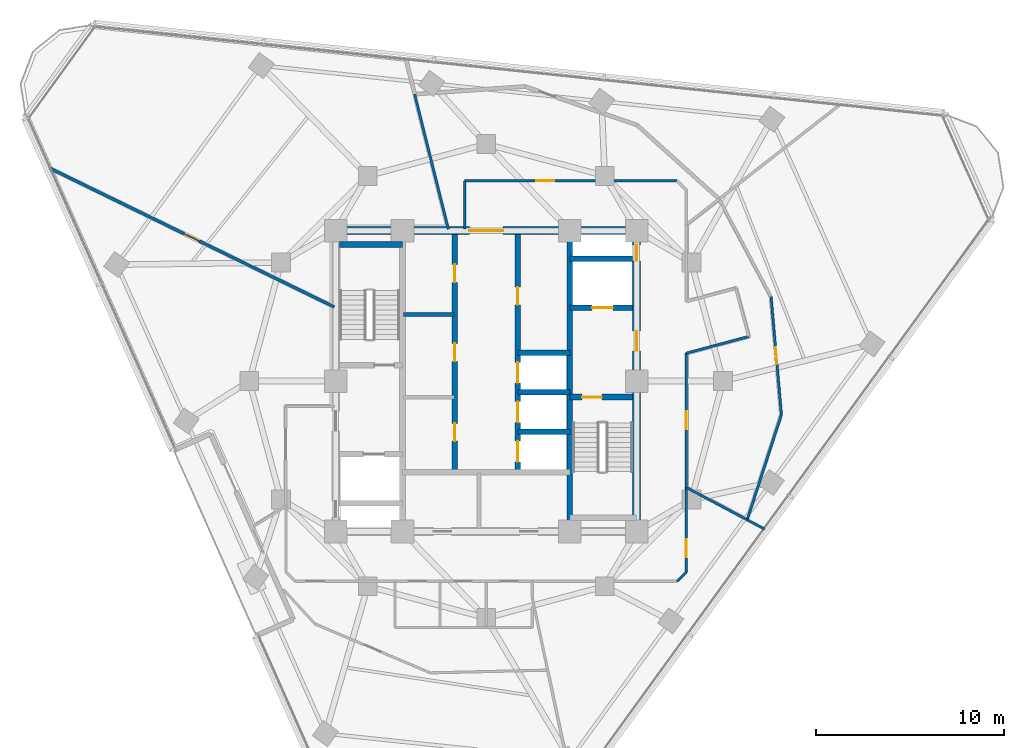
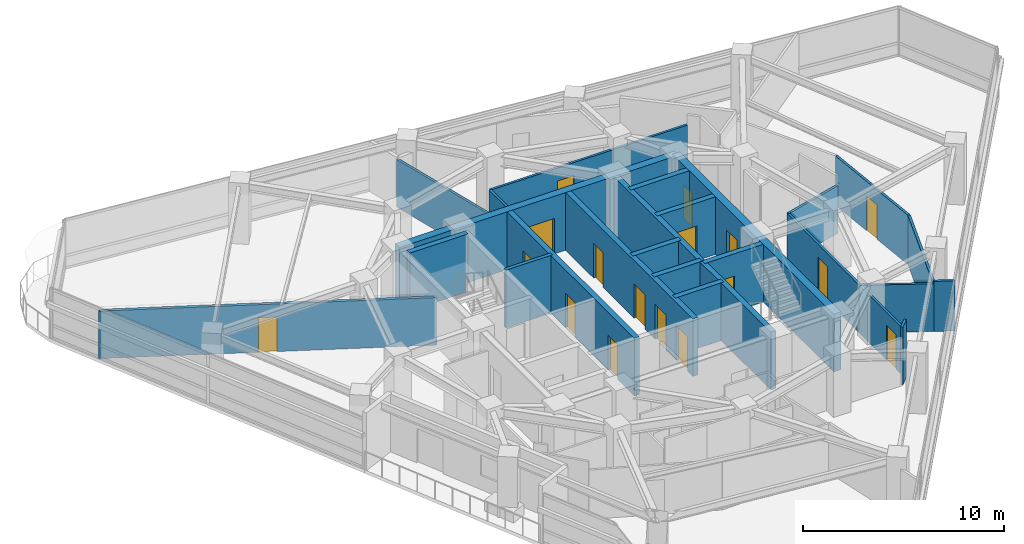
# One storey, part 9 of 14: 25 walls, 17 doors, 17 openings.
"""IFC4 building model written with IfcOpenShell, lengths in metres."""

from ifc_helpers import new_model, si_unit, direction, frame, frame_2d, origin, place, context, subcontext, project, spatial, rectangle, extrude, material, layer, layer_set, type_object, element, fill, save


model = new_model("IFC4")

# Units and contexts
model_context = context("Model", 3, precision=1e-05, world=origin(), true_north=direction((0.0, 1.0)))
body_context = subcontext(model_context, "Body", "Model", "MODEL_VIEW")
ifc_project = project(units=[si_unit("LENGTHUNIT", "METRE"), si_unit("AREAUNIT", "SQUARE_METRE"), si_unit("VOLUMEUNIT", "CUBIC_METRE"), si_unit("PLANEANGLEUNIT", "RADIAN"), si_unit("MASSUNIT", "GRAM", prefix="KILO")], contexts=[model_context])

# Site, building, storey
site_placement = place(None, origin())
site = spatial("IfcSite", under=ifc_project, at=site_placement, CompositionType="ELEMENT")
building_placement = place(site_placement, origin())
building = spatial("IfcBuilding", under=site, at=building_placement, Name="Terralouvre Media Tower", CompositionType="ELEMENT")
storey_placement = place(building_placement, frame((0.0, 0.0, 226.300048828125)))
storey = spatial("IfcBuildingStorey", under=building, at=storey_placement, Name="L58", CompositionType="ELEMENT", Elevation=226.300048828125)

# Walls
ifc_material_1 = material(Name="Concrete C50/60", Category="concrete")
ifc_layer_1 = layer(ifc_material_1, 0.300048828125, Name="Core Internal Shaft Wall CW-300")
ifc_layer_set_1 = layer_set([ifc_layer_1], Name="Concrete C50/60")
wall_type_1 = type_object("IfcWallType", Name="Core Internal Shaft Wall CW-300", PredefinedType="SHEAR", material=ifc_layer_set_1)
wall_1_placement = place(storey_placement, frame((4.449951171875, -7.7900390625, 0.0), z_axis=(0.0, 0.0, 1.0), x_axis=(0.0, 1.0, 0.0)))
element("IfcWall", 1, at=wall_1_placement, inside=storey, type_object=wall_type_1, Name="L58 Core Shaft Wall SPE", PredefinedType="SHEAR", context=body_context, shape_type="SweptSolid", body=[
    extrude(rectangle(XDim=15.580078125, YDim=0.300048828125, at=frame_2d((7.7900390625, 0.0))), origin(), (0.0, 0.0, 1.0), 3.5),
])
wall_2_placement = place(storey_placement, frame((-7.7900390625, 7.260009765625, 0.0), z_axis=(0.0, 0.0, 1.0), x_axis=(1.0, 0.0, 0.0)))
element("IfcWall", 2, at=wall_2_placement, inside=storey, type_object=wall_type_1, Name="L58 Core Shaft Wall ST1F", PredefinedType="SHEAR", context=body_context, shape_type="SweptSolid", body=[
    extrude(rectangle(XDim=3.340087890625, YDim=0.300048828125, at=frame_2d((1.669921875, 0.0))), origin(), (0.0, 0.0, 1.0), 3.5),
])

# Wall, opening, door
wall_3_placement = place(storey_placement, frame((4.449951171875, -0.85009765625, 0.0), z_axis=(0.0, 0.0, 1.0), x_axis=(1.0, 0.0, 0.0)))
wall_3 = element("IfcWall", 3, at=wall_3_placement, inside=storey, type_object=wall_type_1, Name="L58 Core Shaft Wall ST2D", PredefinedType="SHEAR", context=body_context, shape_type="SweptSolid", body=[
    extrude(rectangle(XDim=3.340087890625, YDim=0.300048828125, at=frame_2d((1.669921875, 0.0))), origin(), (0.0, 0.0, 1.0), 3.5),
])
opening_1_placement = place(wall_3_placement, frame((0.64990234375, 0.0, 0.0)))
opening_1 = element("IfcOpeningElement", 4, at=opening_1_placement, cuts=wall_3, Name="Opening FD-01-105X215", PredefinedType="OPENING", context=body_context, shape_type="SweptSolid", body=[
    extrude(rectangle(XDim=1.050048828125, YDim=2.14990234375, at=frame_2d((0.52490234375, 1.074951171875))), frame((0.0, 0.159912109375, 0.0), z_axis=(0.0, -1.0, 0.0), x_axis=(1.0, 0.0, 0.0)), (0.0, 0.0, 1.0), 0.320068359375),
])
ifc_material_2 = material(Name="Galvanised steel fire-resisting leaf", Category="steel")
door_type_1 = type_object("IfcDoorType", Name="Stair and Firefighting Lobby Fire Door FD-01 (1050x2150)", OperationType="NOTDEFINED", PredefinedType="DOOR", material=ifc_material_2)
door_1_placement = place(opening_1_placement, origin())
door_1 = element("IfcDoor", 5, at=door_1_placement, inside=storey, type_object=door_type_1, Name="L58 ST-02 Exit Stair Door", OperationType="SINGLE_SWING_RIGHT", OverallHeight=2.14990234375, OverallWidth=1.050048828125, PredefinedType="DOOR", context=body_context, shape_type="SweptSolid", body=[
    extrude(rectangle(XDim=1.050048828125, YDim=2.14990234375, at=frame_2d((0.52490234375, 1.074951171875))), frame((0.0, 0.02490234375, 0.0), z_axis=(0.0, -1.0, 0.0), x_axis=(1.0, 0.0, 0.0)), (0.0, 0.0, 1.0), 0.050048828125),
])
fill(opening_1, door_1)

wall_4_placement = place(storey_placement, frame((4.449951171875, 3.89990234375, 0.0), z_axis=(0.0, 0.0, 1.0), x_axis=(1.0, 0.0, 0.0)))
wall_4 = element("IfcWall", 6, at=wall_4_placement, inside=storey, type_object=wall_type_1, Name="L58 Core Shaft Wall FF2S", PredefinedType="SHEAR", context=body_context, shape_type="SweptSolid", body=[
    extrude(rectangle(XDim=3.340087890625, YDim=0.300048828125, at=frame_2d((1.669921875, 0.0))), origin(), (0.0, 0.0, 1.0), 3.5),
])
opening_2_placement = place(wall_4_placement, frame((1.179931640625, 0.0, 0.0)))
opening_2 = element("IfcOpeningElement", 7, at=opening_2_placement, cuts=wall_4, Name="Opening LD-FF", PredefinedType="OPENING", context=body_context, shape_type="SweptSolid", body=[
    extrude(rectangle(XDim=1.10009765625, YDim=2.10009765625, at=frame_2d((0.550048828125, 1.050048828125))), frame((0.0, 0.159912109375, 0.0), z_axis=(0.0, -1.0, 0.0), x_axis=(1.0, 0.0, 0.0)), (0.0, 0.0, 1.0), 0.320068359375),
])
ifc_material_3 = material(Name="Stainless steel 316 handrail and balustrade", Category="steel")
door_type_2 = type_object("IfcDoorType", Name="Firefighting Lift Sliding Landing Door LD-FF", OperationType="SLIDING_TO_LEFT", PredefinedType="DOOR", material=ifc_material_3)
door_2_placement = place(opening_2_placement, origin())
door_2 = element("IfcDoor", 8, at=door_2_placement, inside=storey, type_object=door_type_2, Name="L58 Firefighting Lift FFL-02 Landing Door", OperationType="SLIDING_TO_LEFT", OverallHeight=2.10009765625, OverallWidth=1.10009765625, PredefinedType="DOOR", context=body_context, shape_type="SweptSolid", body=[
    extrude(rectangle(XDim=1.10009765625, YDim=2.10009765625, at=frame_2d((0.550048828125, 1.050048828125))), frame((0.0, 0.02490234375, 0.0), z_axis=(0.0, -1.0, 0.0), x_axis=(1.0, 0.0, 0.0)), (0.0, 0.0, 1.0), 0.050048828125),
])
fill(opening_2, door_2)

# Wall
wall_5_placement = place(storey_placement, frame((4.449951171875, 6.5, 0.0), z_axis=(0.0, 0.0, 1.0), x_axis=(1.0, 0.0, 0.0)))
element("IfcWall", 9, at=wall_5_placement, inside=storey, type_object=wall_type_1, Name="L58 Core Shaft Wall FF2N", PredefinedType="SHEAR", context=body_context, shape_type="SweptSolid", body=[
    extrude(rectangle(XDim=3.340087890625, YDim=0.300048828125, at=frame_2d((1.669921875, 0.0))), origin(), (0.0, 0.0, 1.0), 3.5),
])

# Wall, openings, doors
wall_6_placement = place(storey_placement, frame((-1.679931640625, -4.85009765625, 0.0), z_axis=(0.0, 0.0, 1.0), x_axis=(0.0, 1.0, 0.0)))
wall_6 = element("IfcWall", 10, at=wall_6_placement, inside=storey, type_object=wall_type_1, Name="L58 Core Shaft Wall LBW", PredefinedType="SHEAR", context=body_context, shape_type="SweptSolid", body=[
    extrude(rectangle(XDim=12.64013671875, YDim=0.300048828125, at=frame_2d((6.320068359375, 0.0))), origin(), (0.0, 0.0, 1.0), 3.5),
])
opening_3_placement = place(wall_6_placement, frame((1.64990234375, 0.0, 0.0)))
opening_3 = element("IfcOpeningElement", 11, at=opening_3_placement, cuts=wall_6, Name="Opening FD-02-95X210", PredefinedType="OPENING", context=body_context, shape_type="SweptSolid", body=[
    extrude(rectangle(XDim=0.949951171875, YDim=2.10009765625, at=frame_2d((0.47509765625, 1.050048828125))), frame((0.0, 0.159912109375, 0.0), z_axis=(0.0, -1.0, 0.0), x_axis=(1.0, 0.0, 0.0)), (0.0, 0.0, 1.0), 0.320068359375),
])
opening_4_placement = place(wall_6_placement, frame((5.89990234375, 0.0, 0.0)))
opening_4 = element("IfcOpeningElement", 12, at=opening_4_placement, cuts=wall_6, Name="Opening SD-02", PredefinedType="OPENING", context=body_context, shape_type="SweptSolid", body=[
    extrude(rectangle(XDim=0.949951171875, YDim=2.10009765625, at=frame_2d((0.47509765625, 1.050048828125))), frame((0.0, 0.159912109375, 0.0), z_axis=(0.0, -1.0, 0.0), x_axis=(1.0, 0.0, 0.0)), (0.0, 0.0, 1.0), 0.320068359375),
])
opening_5_placement = place(wall_6_placement, frame((10.10009765625, 0.0, 0.0)))
opening_5 = element("IfcOpeningElement", 13, at=opening_5_placement, cuts=wall_6, Name="Opening FD-02-95X210", PredefinedType="OPENING", context=body_context, shape_type="SweptSolid", body=[
    extrude(rectangle(XDim=0.949951171875, YDim=2.10009765625, at=frame_2d((0.47509765625, 1.050048828125))), frame((0.0, 0.159912109375, 0.0), z_axis=(0.0, -1.0, 0.0), x_axis=(1.0, 0.0, 0.0)), (0.0, 0.0, 1.0), 0.320068359375),
])
ifc_material_4 = material(Name="Galvanised steel fire-resisting leaf", Category="steel")
door_type_3 = type_object("IfcDoorType", Name="Core Service Sliding Fire Door SD-02", OperationType="SLIDING_TO_LEFT", PredefinedType="DOOR", material=ifc_material_4)
door_3_placement = place(opening_4_placement, origin())
door_3 = element("IfcDoor", 14, at=door_3_placement, inside=storey, type_object=door_type_3, Name="L58 Core Pantry Store Door", OperationType="SLIDING_TO_LEFT", OverallHeight=2.10009765625, OverallWidth=0.949951171875, PredefinedType="DOOR", context=body_context, shape_type="SweptSolid", body=[
    extrude(rectangle(XDim=0.949951171875, YDim=2.10009765625, at=frame_2d((0.47509765625, 1.050048828125))), frame((0.0, 0.02490234375, 0.0), z_axis=(0.0, -1.0, 0.0), x_axis=(1.0, 0.0, 0.0)), (0.0, 0.0, 1.0), 0.050048828125),
])
fill(opening_4, door_3)
ifc_material_5 = material(Name="Galvanised steel fire-resisting leaf", Category="steel")
door_type_4 = type_object("IfcDoorType", Name="Plant and Riser Fire Door FD-02 (950x2100)", OperationType="NOTDEFINED", PredefinedType="DOOR", material=ifc_material_5)
door_4_placement = place(opening_3_placement, origin())
door_4 = element("IfcDoor", 15, at=door_4_placement, inside=storey, type_object=door_type_4, Name="L58 Core UPS Switch Plant Door", OperationType="SINGLE_SWING_LEFT", OverallHeight=2.10009765625, OverallWidth=0.949951171875, PredefinedType="DOOR", context=body_context, shape_type="SweptSolid", body=[
    extrude(rectangle(XDim=0.949951171875, YDim=2.10009765625, at=frame_2d((0.47509765625, 1.050048828125))), frame((0.0, 0.02490234375, 0.0), z_axis=(0.0, -1.0, 0.0), x_axis=(1.0, 0.0, 0.0)), (0.0, 0.0, 1.0), 0.050048828125),
])
fill(opening_3, door_4)
door_5_placement = place(opening_5_placement, origin())
door_5 = element("IfcDoor", 16, at=door_5_placement, inside=storey, type_object=door_type_4, Name="L58 Core Edge Server Plant Door", OperationType="SINGLE_SWING_RIGHT", OverallHeight=2.10009765625, OverallWidth=0.949951171875, PredefinedType="DOOR", context=body_context, shape_type="SweptSolid", body=[
    extrude(rectangle(XDim=0.949951171875, YDim=2.10009765625, at=frame_2d((0.47509765625, 1.050048828125))), frame((0.0, 0.02490234375, 0.0), z_axis=(0.0, -1.0, 0.0), x_axis=(1.0, 0.0, 0.0)), (0.0, 0.0, 1.0), 0.050048828125),
])
fill(opening_5, door_5)

wall_7_placement = place(storey_placement, frame((1.679931640625, -4.85009765625, 0.0), z_axis=(0.0, 0.0, 1.0), x_axis=(0.0, 1.0, 0.0)))
wall_7 = element("IfcWall", 17, at=wall_7_placement, inside=storey, type_object=wall_type_1, Name="L58 Core Shaft Wall LBE", PredefinedType="SHEAR", context=body_context, shape_type="SweptSolid", body=[
    extrude(rectangle(XDim=12.64013671875, YDim=0.300048828125, at=frame_2d((6.320068359375, 0.0))), origin(), (0.0, 0.0, 1.0), 3.5),
])
opening_6_placement = place(wall_7_placement, frame((0.550048828125, 0.0, 0.0)))
opening_6 = element("IfcOpeningElement", 18, at=opening_6_placement, cuts=wall_7, Name="Opening LD-PL", PredefinedType="OPENING", context=body_context, shape_type="SweptSolid", body=[
    extrude(rectangle(XDim=1.10009765625, YDim=2.10009765625, at=frame_2d((0.550048828125, 1.050048828125))), frame((0.0, 0.159912109375, 0.0), z_axis=(0.0, -1.0, 0.0), x_axis=(1.0, 0.0, 0.0)), (0.0, 0.0, 1.0), 0.320068359375),
])
opening_7_placement = place(wall_7_placement, frame((2.64990234375, 0.0, 0.0)))
opening_7 = element("IfcOpeningElement", 19, at=opening_7_placement, cuts=wall_7, Name="Opening LD-PL", PredefinedType="OPENING", context=body_context, shape_type="SweptSolid", body=[
    extrude(rectangle(XDim=1.10009765625, YDim=2.10009765625, at=frame_2d((0.550048828125, 1.050048828125))), frame((0.0, 0.159912109375, 0.0), z_axis=(0.0, -1.0, 0.0), x_axis=(1.0, 0.0, 0.0)), (0.0, 0.0, 1.0), 0.320068359375),
])
opening_8_placement = place(wall_7_placement, frame((4.75, 0.0, 0.0)))
opening_8 = element("IfcOpeningElement", 20, at=opening_8_placement, cuts=wall_7, Name="Opening LD-PL", PredefinedType="OPENING", context=body_context, shape_type="SweptSolid", body=[
    extrude(rectangle(XDim=1.10009765625, YDim=2.10009765625, at=frame_2d((0.550048828125, 1.050048828125))), frame((0.0, 0.159912109375, 0.0), z_axis=(0.0, -1.0, 0.0), x_axis=(1.0, 0.0, 0.0)), (0.0, 0.0, 1.0), 0.320068359375),
])
opening_9_placement = place(wall_7_placement, frame((8.89990234375, 0.0, 0.0)))
opening_9 = element("IfcOpeningElement", 21, at=opening_9_placement, cuts=wall_7, Name="Opening FD-02-95X210", PredefinedType="OPENING", context=body_context, shape_type="SweptSolid", body=[
    extrude(rectangle(XDim=0.949951171875, YDim=2.10009765625, at=frame_2d((0.47509765625, 1.050048828125))), frame((0.0, 0.159912109375, 0.0), z_axis=(0.0, -1.0, 0.0), x_axis=(1.0, 0.0, 0.0)), (0.0, 0.0, 1.0), 0.320068359375),
])
ifc_material_6 = material(Name="Stainless steel 316 handrail and balustrade", Category="steel")
door_type_5 = type_object("IfcDoorType", Name="Passenger Lift Sliding Landing Door LD-PL", OperationType="SLIDING_TO_LEFT", PredefinedType="DOOR", material=ifc_material_6)
door_6_placement = place(opening_6_placement, origin())
door_6 = element("IfcDoor", 22, at=door_6_placement, inside=storey, type_object=door_type_5, Name="L58 High-Rise Lift PL-H1 Landing Door", OperationType="SLIDING_TO_LEFT", OverallHeight=2.10009765625, OverallWidth=1.10009765625, PredefinedType="DOOR", context=body_context, shape_type="SweptSolid", body=[
    extrude(rectangle(XDim=1.10009765625, YDim=2.10009765625, at=frame_2d((0.550048828125, 1.050048828125))), frame((0.0, 0.02490234375, 0.0), z_axis=(0.0, -1.0, 0.0), x_axis=(1.0, 0.0, 0.0)), (0.0, 0.0, 1.0), 0.050048828125),
])
fill(opening_6, door_6)
door_7_placement = place(opening_7_placement, origin())
door_7 = element("IfcDoor", 23, at=door_7_placement, inside=storey, type_object=door_type_5, Name="L58 High-Rise Lift PL-H2 Landing Door", OperationType="SLIDING_TO_LEFT", OverallHeight=2.10009765625, OverallWidth=1.10009765625, PredefinedType="DOOR", context=body_context, shape_type="SweptSolid", body=[
    extrude(rectangle(XDim=1.10009765625, YDim=2.10009765625, at=frame_2d((0.550048828125, 1.050048828125))), frame((0.0, 0.02490234375, 0.0), z_axis=(0.0, -1.0, 0.0), x_axis=(1.0, 0.0, 0.0)), (0.0, 0.0, 1.0), 0.050048828125),
])
fill(opening_7, door_7)
door_8_placement = place(opening_8_placement, origin())
door_8 = element("IfcDoor", 24, at=door_8_placement, inside=storey, type_object=door_type_5, Name="L58 High-Rise Lift PL-H3 Landing Door", OperationType="SLIDING_TO_LEFT", OverallHeight=2.10009765625, OverallWidth=1.10009765625, PredefinedType="DOOR", context=body_context, shape_type="SweptSolid", body=[
    extrude(rectangle(XDim=1.10009765625, YDim=2.10009765625, at=frame_2d((0.550048828125, 1.050048828125))), frame((0.0, 0.02490234375, 0.0), z_axis=(0.0, -1.0, 0.0), x_axis=(1.0, 0.0, 0.0)), (0.0, 0.0, 1.0), 0.050048828125),
])
fill(opening_8, door_8)
door_9_placement = place(opening_9_placement, origin())
door_9 = element("IfcDoor", 25, at=door_9_placement, inside=storey, type_object=door_type_4, Name="L58 Core AHU Sub-Plant Door", OperationType="SINGLE_SWING_LEFT", OverallHeight=2.10009765625, OverallWidth=0.949951171875, PredefinedType="DOOR", context=body_context, shape_type="SweptSolid", body=[
    extrude(rectangle(XDim=0.949951171875, YDim=2.10009765625, at=frame_2d((0.47509765625, 1.050048828125))), frame((0.0, 0.02490234375, 0.0), z_axis=(0.0, -1.0, 0.0), x_axis=(1.0, 0.0, 0.0)), (0.0, 0.0, 1.0), 0.050048828125),
])
fill(opening_9, door_9)

# Walls
for number, where, z_axis, x_axis, name in (
    (26, (1.679931640625, 1.5, 0.0), (0.0, 0.0, 1.0), (1.0, 0.0, 0.0), "L58 Core Shaft Wall PLMBOT"),
    (27, (1.679931640625, -2.699951171875, 0.0), (0.0, 0.0, 1.0), (1.0, 0.0, 0.0), "L58 Core Shaft Wall PLHD1"),
    (28, (1.679931640625, -0.60009765625, 0.0), (0.0, 0.0, 1.0), (1.0, 0.0, 0.0), "L58 Core Shaft Wall PLHD2"),
):
    element("IfcWall", number, at=place(storey_placement, frame(where, z_axis=z_axis, x_axis=x_axis)), inside=storey, type_object=wall_type_1, Name=name, PredefinedType="SHEAR", context=body_context, shape_type="SweptSolid", body=[
        extrude(rectangle(XDim=2.77001953125, YDim=0.300048828125, at=frame_2d((1.385009765625, 0.0))), origin(), (0.0, 0.0, 1.0), 3.5),
    ])

# Wall, openings, doors
ifc_material_7 = material(Name="Concrete C60/75", Category="concrete")
ifc_layer_2 = layer(ifc_material_7, 0.419921875, Name="Core Reinforced Concrete Shear Wall CW-420")
ifc_layer_set_2 = layer_set([ifc_layer_2], Name="Concrete C60/75")
wall_type_2 = type_object("IfcWallType", Name="Core Reinforced Concrete Shear Wall CW-420", PredefinedType="SHEAR", material=ifc_layer_set_2)
wall_8_placement = place(storey_placement, frame((8.0, -8.0, 0.0), z_axis=(0.0, 0.0, 1.0), x_axis=(0.0, 1.0, 0.0)))
wall_8 = element("IfcWall", 29, at=wall_8_placement, inside=storey, type_object=wall_type_2, Name="L58 E Core Shear Wall", PredefinedType="SHEAR", context=body_context, shape_type="SweptSolid", body=[
    extrude(rectangle(XDim=16.0, YDim=0.419921875, at=frame_2d((8.0, 0.0))), origin(), (0.0, 0.0, 1.0), 3.5),
])
opening_10_placement = place(wall_8_placement, frame((9.60009765625, 0.0, 0.0)))
opening_10 = element("IfcOpeningElement", 30, at=opening_10_placement, cuts=wall_8, Name="Opening FD-01-105X215", PredefinedType="OPENING", context=body_context, shape_type="SweptSolid", body=[
    extrude(rectangle(XDim=1.050048828125, YDim=2.14990234375, at=frame_2d((0.52490234375, 1.074951171875))), frame((0.0, 0.219970703125, 0.0), z_axis=(0.0, -1.0, 0.0), x_axis=(1.0, 0.0, 0.0)), (0.0, 0.0, 1.0), 0.43994140625),
])
opening_11_placement = place(wall_8_placement, frame((14.388671875, 0.0, 0.0)))
opening_11 = element("IfcOpeningElement", 31, at=opening_11_placement, cuts=wall_8, Name="Opening TD-R1", PredefinedType="OPENING", context=body_context, shape_type="SweptSolid", body=[
    extrude(rectangle(XDim=0.85009765625, YDim=2.02001953125, at=frame_2d((0.425048828125, 1.010009765625))), frame((0.0, 0.219970703125, 0.0), z_axis=(0.0, -1.0, 0.0), x_axis=(1.0, 0.0, 0.0)), (0.0, 0.0, 1.0), 0.43994140625),
])
ifc_material_8 = material(Name="Galvanised steel fire-resisting leaf", Category="steel")
door_type_6 = type_object("IfcDoorType", Name="Riser Inspection Access Trapdoor TD-R1", OperationType="NOTDEFINED", PredefinedType="TRAPDOOR", material=ifc_material_8)
door_10_placement = place(opening_11_placement, origin())
door_10 = element("IfcDoor", 32, at=door_10_placement, inside=storey, type_object=door_type_6, Name="L58 East Comms Riser Access Trapdoor", OperationType="SINGLE_SWING_RIGHT", OverallHeight=2.02001953125, OverallWidth=0.85009765625, PredefinedType="TRAPDOOR", context=body_context, shape_type="SweptSolid", body=[
    extrude(rectangle(XDim=0.85009765625, YDim=2.02001953125, at=frame_2d((0.425048828125, 1.010009765625))), frame((0.0, 0.02490234375, 0.0), z_axis=(0.0, -1.0, 0.0), x_axis=(1.0, 0.0, 0.0)), (0.0, 0.0, 1.0), 0.050048828125),
])
fill(opening_11, door_10)
door_11_placement = place(opening_10_placement, origin())
door_11 = element("IfcDoor", 33, at=door_11_placement, inside=storey, type_object=door_type_1, Name="L58 East Firefighting Lobby Entry Door", OperationType="SINGLE_SWING_LEFT", OverallHeight=2.14990234375, OverallWidth=1.050048828125, PredefinedType="DOOR", context=body_context, shape_type="SweptSolid", body=[
    extrude(rectangle(XDim=1.050048828125, YDim=2.14990234375, at=frame_2d((0.52490234375, 1.074951171875))), frame((0.0, 0.02490234375, 0.0), z_axis=(0.0, -1.0, 0.0), x_axis=(1.0, 0.0, 0.0)), (0.0, 0.0, 1.0), 0.050048828125),
])
fill(opening_10, door_11)

# Wall, opening, door
wall_9_placement = place(storey_placement, frame((-8.0, 8.0, 0.0), z_axis=(0.0, 0.0, 1.0), x_axis=(1.0, 0.0, 0.0)))
wall_9 = element("IfcWall", 34, at=wall_9_placement, inside=storey, type_object=wall_type_2, Name="L58 N Core Shear Wall", PredefinedType="SHEAR", context=body_context, shape_type="SweptSolid", body=[
    extrude(rectangle(XDim=16.0, YDim=0.419921875, at=frame_2d((8.0, 0.0))), origin(), (0.0, 0.0, 1.0), 3.5),
])
opening_12_placement = place(wall_9_placement, frame((7.10009765625, 0.0, 0.0)))
opening_12 = element("IfcOpeningElement", 35, at=opening_12_placement, cuts=wall_9, Name="Opening FD-03", PredefinedType="OPENING", context=body_context, shape_type="SweptSolid", body=[
    extrude(rectangle(XDim=1.800048828125, YDim=2.14990234375, at=frame_2d((0.89990234375, 1.074951171875))), frame((0.0, 0.219970703125, 0.0), z_axis=(0.0, -1.0, 0.0), x_axis=(1.0, 0.0, 0.0)), (0.0, 0.0, 1.0), 0.43994140625),
])
ifc_material_9 = material(Name="Galvanised steel fire-resisting leaf", Category="steel")
door_type_7 = type_object("IfcDoorType", Name="Corridor Smoke-Control Double Door FD-03", OperationType="DOUBLE_DOOR_SINGLE_SWING", PredefinedType="DOOR", material=ifc_material_9)
door_12_placement = place(opening_12_placement, origin())
door_12 = element("IfcDoor", 36, at=door_12_placement, inside=storey, type_object=door_type_7, Name="L58 Central Lift Lobby Portal Door", OperationType="DOUBLE_DOOR_SINGLE_SWING", OverallHeight=2.14990234375, OverallWidth=1.800048828125, PredefinedType="DOOR", context=body_context, shape_type="SweptSolid", body=[
    extrude(rectangle(XDim=1.800048828125, YDim=2.14990234375, at=frame_2d((0.89990234375, 1.074951171875))), frame((0.0, 0.02490234375, 0.0), z_axis=(0.0, -1.0, 0.0), x_axis=(1.0, 0.0, 0.0)), (0.0, 0.0, 1.0), 0.050048828125),
])
fill(opening_12, door_12)

# Wall
ifc_material_10 = material(Name="Fire-rated gypsum board drywall partition")
ifc_layer_3 = layer(ifc_material_10, 0.199951171875, Name="Fire-Rated Shaft and Lobby Partition FW-200")
ifc_layer_set_3 = layer_set([ifc_layer_3], Name="Fire-rated gypsum board drywall partition")
wall_type_3 = type_object("IfcWallType", Name="Fire-Rated Shaft and Lobby Partition FW-200", PredefinedType="SOLIDWALL", material=ifc_layer_set_3)
wall_10_placement = place(storey_placement, frame((-4.39990234375, 3.5400390625, 0.0), z_axis=(0.0, 0.0, 1.0), x_axis=(1.0, 0.0, 0.0)))
element("IfcWall", 37, at=wall_10_placement, inside=storey, type_object=wall_type_3, Name="L58 Core West Sub-Partition 2", PredefinedType="SOLIDWALL", context=body_context, shape_type="SweptSolid", body=[
    extrude(rectangle(XDim=2.679931640625, YDim=0.199951171875, at=frame_2d((1.33984375, 0.0))), origin(), (0.0, 0.0, 1.0), 3.5),
])

# Wall, opening, door
ifc_material_11 = material(Name="Fire-rated gypsum board drywall partition")
ifc_layer_4 = layer(ifc_material_11, 0.135009765625, Name="Newsroom Acoustic Partition PT-135")
ifc_layer_set_4 = layer_set([ifc_layer_4], Name="Fire-rated gypsum board drywall partition")
wall_type_4 = type_object("IfcWallType", Name="Newsroom Acoustic Partition PT-135", PredefinedType="PARTITIONING", material=ifc_layer_set_4)
wall_11_placement = place(storey_placement, frame((10.64990234375, -5.6630859375, 0.0), z_axis=(0.0, 0.0, 1.0), x_axis=(0.0, 1.0, 0.0)))
wall_11 = element("IfcWall", 38, at=wall_11_placement, inside=storey, type_object=wall_type_4, Name="L58 Interior Partition 001", PredefinedType="PARTITIONING", context=body_context, shape_type="SweptSolid", body=[
    extrude(rectangle(XDim=7.14501953125, YDim=0.135009765625, at=frame_2d((3.572509765625, 0.0))), origin(), (0.0, 0.0, 1.0), 2.885009765625),
])
opening_13_placement = place(wall_11_placement, frame((3.097412109375, 0.0, 0.0)))
opening_13 = element("IfcOpeningElement", 39, at=opening_13_placement, cuts=wall_11, Name="Opening ID-02-95X210", PredefinedType="OPENING", context=body_context, shape_type="SweptSolid", body=[
    extrude(rectangle(XDim=0.949951171875, YDim=2.10009765625, at=frame_2d((0.47509765625, 1.050048828125))), frame((0.0, 0.077392578125, 0.0), z_axis=(0.0, -1.0, 0.0), x_axis=(1.0, 0.0, 0.0)), (0.0, 0.0, 1.0), 0.155029296875),
])
ifc_material_12 = material(Name="Engineered hardwood acoustic timber leaf", Category="wood")
door_type_8 = type_object("IfcDoorType", Name="Office and Meeting Room Door ID-02 (950x2100)", OperationType="NOTDEFINED", PredefinedType="DOOR", material=ifc_material_12)
door_13_placement = place(opening_13_placement, origin())
door_13 = element("IfcDoor", 40, at=door_13_placement, inside=storey, type_object=door_type_8, Name="L58 Executive Dining Room 1 Door", OperationType="SINGLE_SWING_RIGHT", OverallHeight=2.10009765625, OverallWidth=0.949951171875, PredefinedType="DOOR", context=body_context, shape_type="SweptSolid", body=[
    extrude(rectangle(XDim=0.949951171875, YDim=2.10009765625, at=frame_2d((0.47509765625, 1.050048828125))), frame((0.0, 0.02490234375, 0.0), z_axis=(0.0, -1.0, 0.0), x_axis=(1.0, 0.0, 0.0)), (0.0, 0.0, 1.0), 0.050048828125),
])
fill(opening_13, door_13)

# Walls
wall_12_placement = place(storey_placement, frame((10.64990234375, 1.48193359375, 0.0), z_axis=(0.0, 0.0, 1.0), x_axis=(0.965961397105, 0.2586862565, 0.0)))
element("IfcWall", 41, at=wall_12_placement, inside=storey, type_object=wall_type_4, Name="L58 Interior Partition 002", PredefinedType="PARTITIONING", context=body_context, shape_type="SweptSolid", body=[
    extrude(rectangle(XDim=3.4287109375, YDim=0.135009765625, at=frame_2d((1.71435546875, 0.0))), origin(), (0.0, 0.0, 1.0), 2.885009765625),
])
wall_13_placement = place(storey_placement, frame((10.14990234375, -10.64990234375, 0.0), z_axis=(0.0, 0.0, 1.0), x_axis=(0.707106781187, 0.707106781187, 0.0)))
element("IfcWall", 42, at=wall_13_placement, inside=storey, type_object=wall_type_4, Name="L58 Interior Partition 013", PredefinedType="PARTITIONING", context=body_context, shape_type="SweptSolid", body=[
    extrude(rectangle(XDim=0.70703125, YDim=0.135009765625, at=frame_2d((0.353515625, 0.0))), origin(), (0.0, 0.0, 1.0), 3.5),
])

# Wall, opening, door
wall_14_placement = place(storey_placement, frame((10.64990234375, -10.14990234375, 0.0), z_axis=(0.0, 0.0, 1.0), x_axis=(0.0, 1.0, 0.0)))
wall_14 = element("IfcWall", 43, at=wall_14_placement, inside=storey, type_object=wall_type_4, Name="L58 Interior Partition 014", PredefinedType="PARTITIONING", context=body_context, shape_type="SweptSolid", body=[
    extrude(rectangle(XDim=4.48681640625, YDim=0.135009765625, at=frame_2d((2.243408203125, 0.0))), origin(), (0.0, 0.0, 1.0), 2.885009765625),
])
opening_14_placement = place(wall_14_placement, frame((0.781494140625, 0.0, 0.0)))
opening_14 = element("IfcOpeningElement", 44, at=opening_14_placement, cuts=wall_14, Name="Opening ID-02-95X210", PredefinedType="OPENING", context=body_context, shape_type="SweptSolid", body=[
    extrude(rectangle(XDim=0.949951171875, YDim=2.10009765625, at=frame_2d((0.47509765625, 1.050048828125))), frame((0.0, 0.077392578125, 0.0), z_axis=(0.0, -1.0, 0.0), x_axis=(1.0, 0.0, 0.0)), (0.0, 0.0, 1.0), 0.155029296875),
])
door_14_placement = place(opening_14_placement, origin())
door_14 = element("IfcDoor", 45, at=door_14_placement, inside=storey, type_object=door_type_8, Name="L58 Deeds and Contracts Vault Store 4 Door", OperationType="SINGLE_SWING_LEFT", OverallHeight=2.10009765625, OverallWidth=0.949951171875, PredefinedType="DOOR", context=body_context, shape_type="SweptSolid", body=[
    extrude(rectangle(XDim=0.949951171875, YDim=2.10009765625, at=frame_2d((0.47509765625, 1.050048828125))), frame((0.0, 0.02490234375, 0.0), z_axis=(0.0, -1.0, 0.0), x_axis=(1.0, 0.0, 0.0)), (0.0, 0.0, 1.0), 0.050048828125),
])
fill(opening_14, door_14)

wall_15_placement = place(storey_placement, frame((10.14990234375, 10.64990234375, 0.0), z_axis=(0.0, 0.0, 1.0), x_axis=(-1.0, 0.0, 0.0)))
wall_15 = element("IfcWall", 46, at=wall_15_placement, inside=storey, type_object=wall_type_4, Name="L58 Interior Partition 017", PredefinedType="PARTITIONING", context=body_context, shape_type="SweptSolid", body=[
    extrude(rectangle(XDim=11.2998046875, YDim=0.135009765625, at=frame_2d((5.64990234375, 0.0))), origin(), (0.0, 0.0, 1.0), 2.885009765625),
])
opening_15_placement = place(wall_15_placement, frame((6.531005859375, 0.0, 0.0)))
opening_15 = element("IfcOpeningElement", 47, at=opening_15_placement, cuts=wall_15, Name="Opening ID-02-95X210", PredefinedType="OPENING", context=body_context, shape_type="SweptSolid", body=[
    extrude(rectangle(XDim=0.949951171875, YDim=2.10009765625, at=frame_2d((0.47509765625, 1.050048828125))), frame((0.0, 0.077392578125, 0.0), z_axis=(0.0, -1.0, 0.0), x_axis=(1.0, 0.0, 0.0)), (0.0, 0.0, 1.0), 0.155029296875),
])
door_15_placement = place(opening_15_placement, origin())
door_15 = element("IfcDoor", 48, at=door_15_placement, inside=storey, type_object=door_type_8, Name="L58 Company Secretary Office 7 Door", OperationType="SINGLE_SWING_RIGHT", OverallHeight=2.10009765625, OverallWidth=0.949951171875, PredefinedType="DOOR", context=body_context, shape_type="SweptSolid", body=[
    extrude(rectangle(XDim=0.949951171875, YDim=2.10009765625, at=frame_2d((0.47509765625, 1.050048828125))), frame((0.0, 0.02490234375, 0.0), z_axis=(0.0, -1.0, 0.0), x_axis=(1.0, 0.0, 0.0)), (0.0, 0.0, 1.0), 0.050048828125),
])
fill(opening_15, door_15)

# Walls
wall_16_placement = place(storey_placement, frame((-1.14990234375, 10.64990234375, 0.0), z_axis=(0.0, 0.0, 1.0), x_axis=(0.0, -1.0, 0.0)))
element("IfcWall", 49, at=wall_16_placement, inside=storey, type_object=wall_type_4, Name="L58 Interior Partition 018", PredefinedType="PARTITIONING", context=body_context, shape_type="SweptSolid", body=[
    extrude(rectangle(XDim=2.56982421875, YDim=0.135009765625, at=frame_2d((1.284912109375, 0.0))), origin(), (0.0, 0.0, 1.0), 2.885009765625),
])
wall_17_placement = place(storey_placement, frame((10.64990234375, -5.6630859375, 0.0), z_axis=(0.0, 0.0, 1.0), x_axis=(0.882952413676, -0.469462496036, 0.0)))
element("IfcWall", 50, at=wall_17_placement, inside=storey, type_object=wall_type_4, Name="L58 Interior Partition 021", PredefinedType="PARTITIONING", context=body_context, shape_type="SweptSolid", body=[
    extrude(rectangle(XDim=3.659423828125, YDim=0.135009765625, at=frame_2d((1.82958984375, 0.0))), origin(), (0.0, 0.0, 1.0), 2.885009765625),
])
wall_18_placement = place(storey_placement, frame((13.881103515625, -7.381103515625, 0.0), z_axis=(0.0, 0.0, 1.0), x_axis=(0.309006266506, 0.951060001924, 0.0)))
element("IfcWall", 51, at=wall_18_placement, inside=storey, type_object=wall_type_4, Name="L58 Interior Partition 022", PredefinedType="PARTITIONING", context=body_context, shape_type="SweptSolid", body=[
    extrude(rectangle(XDim=5.8798828125, YDim=0.135009765625, at=frame_2d((2.93994140625, 0.0))), origin(), (0.0, 0.0, 1.0), 2.98486328125),
])

# Wall, opening, door
wall_19_placement = place(storey_placement, frame((15.697998046875, -1.7890625, 0.0), z_axis=(0.0, 0.0, 1.0), x_axis=(-0.087153009445, 0.996194937221, 0.0)))
wall_19 = element("IfcWall", 52, at=wall_19_placement, inside=storey, type_object=wall_type_4, Name="L58 Interior Partition 023", PredefinedType="PARTITIONING", context=body_context, shape_type="SweptSolid", body=[
    extrude(rectangle(XDim=6.300048828125, YDim=0.135009765625, at=frame_2d((3.14990234375, 0.0))), origin(), (0.0, 0.0, 1.0), 2.98486328125),
])
opening_16_placement = place(wall_19_placement, frame((2.68994140625, 0.0, 0.0)))
opening_16 = element("IfcOpeningElement", 53, at=opening_16_placement, cuts=wall_19, Name="Opening ID-03-92X210", PredefinedType="OPENING", context=body_context, shape_type="SweptSolid", body=[
    extrude(rectangle(XDim=0.919921875, YDim=2.10009765625, at=frame_2d((0.4599609375, 1.050048828125))), frame((0.0, 0.077392578125, 0.0), z_axis=(0.0, -1.0, 0.0), x_axis=(1.0, 0.0, 0.0)), (0.0, 0.0, 1.0), 0.155029296875),
])
ifc_material_13 = material(Name="Engineered hardwood acoustic timber leaf", Category="wood")
door_type_9 = type_object("IfcDoorType", Name="Accessible Restroom and Suite Door ID-03 (920x2100)", OperationType="NOTDEFINED", PredefinedType="DOOR", material=ifc_material_13)
door_16_placement = place(opening_16_placement, origin())
door_16 = element("IfcDoor", 54, at=door_16_placement, inside=storey, type_object=door_type_9, Name="L58 VIP Visitor Reception 5 Door", OperationType="SINGLE_SWING_LEFT", OverallHeight=2.10009765625, OverallWidth=0.919921875, PredefinedType="DOOR", context=body_context, shape_type="SweptSolid", body=[
    extrude(rectangle(XDim=0.919921875, YDim=2.10009765625, at=frame_2d((0.4599609375, 1.050048828125))), frame((0.0, 0.02490234375, 0.0), z_axis=(0.0, -1.0, 0.0), x_axis=(1.0, 0.0, 0.0)), (0.0, 0.0, 1.0), 0.050048828125),
])
fill(opening_16, door_16)

# Walls
wall_20_placement = place(storey_placement, frame((14.805419921875, -7.871826171875, 0.0), z_axis=(0.0, 0.0, 1.0), x_axis=(-0.883242549552, 0.468916409033, 0.0)))
element("IfcWall", 55, at=wall_20_placement, inside=storey, type_object=wall_type_4, Name="L58 Interior Partition 040", PredefinedType="PARTITIONING", context=body_context, shape_type="SweptSolid", body=[
    extrude(rectangle(XDim=1.04638671875, YDim=0.135009765625, at=frame_2d((0.523193359375, 0.0))), origin(), (0.0, 0.0, 1.0), 3.034912109375),
])
wall_21_placement = place(storey_placement, frame((-3.802978515625, 15.2548828125, 0.0), z_axis=(0.0, 0.0, 1.0), x_axis=(0.241851911951, -0.970313172479, 0.0)))
element("IfcWall", 56, at=wall_21_placement, inside=storey, type_object=wall_type_4, Name="L58 Interior Partition 046", PredefinedType="PARTITIONING", context=body_context, shape_type="SweptSolid", body=[
    extrude(rectangle(XDim=7.394287109375, YDim=0.135009765625, at=frame_2d((3.697265625, 0.0))), origin(), (0.0, 0.0, 1.0), 2.885009765625),
])

# Wall, opening, door
ifc_material_14 = material(Name="Fire-rated gypsum board drywall partition")
ifc_layer_5 = layer(ifc_material_14, 0.159912109375, Name="Studio Acoustic Rated Partition PT-160")
ifc_layer_set_5 = layer_set([ifc_layer_5], Name="Fire-rated gypsum board drywall partition")
wall_type_5 = type_object("IfcWallType", Name="Studio Acoustic Rated Partition PT-160", PredefinedType="PARTITIONING", material=ifc_layer_set_5)
wall_22_placement = place(storey_placement, frame((-23.218017578125, 11.32421875, 0.0), z_axis=(0.0, 0.0, 1.0), x_axis=(0.898787530524, -0.438384505856, 0.0)))
wall_22 = element("IfcWall", 57, at=wall_22_placement, inside=storey, type_object=wall_type_5, Name="L58 Interior Partition 047", PredefinedType="PARTITIONING", context=body_context, shape_type="SweptSolid", body=[
    extrude(rectangle(XDim=16.842529296875, YDim=0.159912109375, at=frame_2d((8.42138671875, 0.0))), origin(), (0.0, 0.0, 1.0), 2.885009765625),
])
opening_17_placement = place(wall_22_placement, frame((7.96142578125, 0.0, 0.0)))
opening_17 = element("IfcOpeningElement", 58, at=opening_17_placement, cuts=wall_22, Name="Opening ID-03-92X210", PredefinedType="OPENING", context=body_context, shape_type="SweptSolid", body=[
    extrude(rectangle(XDim=0.919921875, YDim=2.10009765625, at=frame_2d((0.4599609375, 1.050048828125))), frame((0.0, 0.08984375, 0.0), z_axis=(0.0, -1.0, 0.0), x_axis=(1.0, 0.0, 0.0)), (0.0, 0.0, 1.0), 0.179931640625),
])
door_17_placement = place(opening_17_placement, origin())
door_17 = element("IfcDoor", 59, at=door_17_placement, inside=storey, type_object=door_type_9, Name="L58 Executive Security Control Room 8 Door", OperationType="SINGLE_SWING_LEFT", OverallHeight=2.10009765625, OverallWidth=0.919921875, PredefinedType="DOOR", context=body_context, shape_type="SweptSolid", body=[
    extrude(rectangle(XDim=0.919921875, YDim=2.10009765625, at=frame_2d((0.4599609375, 1.050048828125))), frame((0.0, 0.02490234375, 0.0), z_axis=(0.0, -1.0, 0.0), x_axis=(1.0, 0.0, 0.0)), (0.0, 0.0, 1.0), 0.050048828125),
])
fill(opening_17, door_17)

save(model, "model.ifc")
